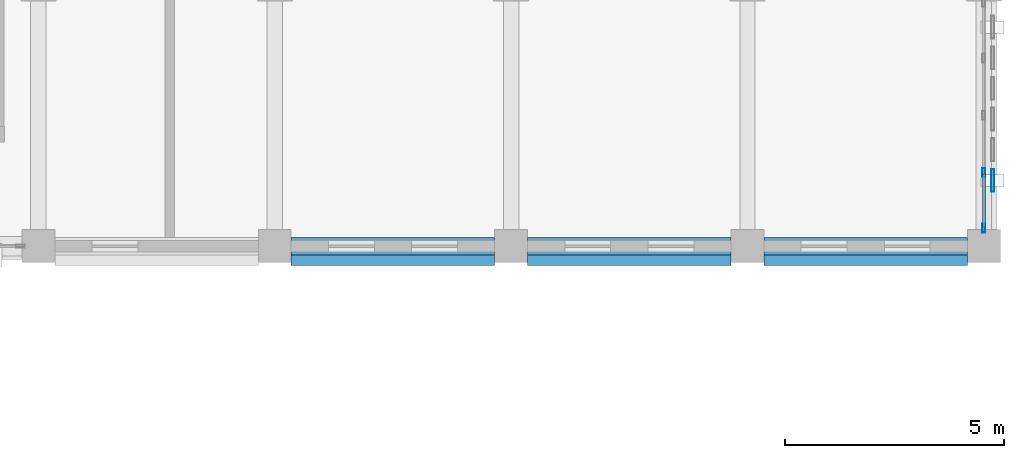
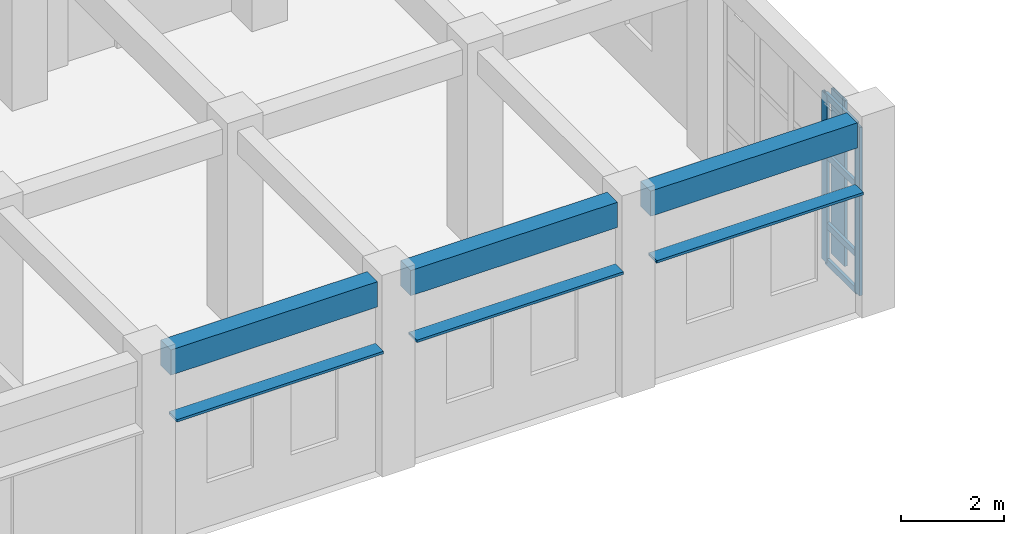
# One storey, part 47 of 76: 10 members, 3 beams, 1 element without a shape of its own.
"""IFC4 building model written with IfcOpenShell, lengths in metres."""

from ifc_helpers import new_model, si_unit, direction, frame, origin, origin_2d, place, context, subcontext, project, spatial, rectangle, hollow_rectangle, extrude, material, layer, layer_set, material_profile, profile_set, type_object, element, aggregate, save


model = new_model("IFC4")

# Units and contexts
model_context = context("Model", 3, precision=1e-05, world=origin(), true_north=direction((0.0, 1.0)))
body_context = subcontext(model_context, "Body", "Model", "MODEL_VIEW")
ifc_project = project(units=[si_unit("LENGTHUNIT", "METRE"), si_unit("AREAUNIT", "SQUARE_METRE"), si_unit("VOLUMEUNIT", "CUBIC_METRE"), si_unit("PLANEANGLEUNIT", "RADIAN"), si_unit("MASSUNIT", "GRAM", prefix="KILO")], contexts=[model_context])

# Site, building, storey
site_placement = place(None, origin())
site = spatial("IfcSite", under=ifc_project, at=site_placement, CompositionType="ELEMENT")
building_placement = place(site_placement, origin())
building = spatial("IfcBuilding", under=site, at=building_placement, Name="Krzemoval Escarpment Law Courts", CompositionType="ELEMENT")
storey_placement = place(building_placement, frame((0.0, 0.0, 20.39990234375)))
storey = spatial("IfcBuildingStorey", under=building, at=storey_placement, Name="L04", CompositionType="ELEMENT", Elevation=20.39990234375)

# Beams
ifc_material_1 = material(Name="Concrete C40/50", Category="concrete")
ifc_material_profile_1 = material_profile(ifc_material_1, rectangle(XDim=0.39990234375, YDim=0.60009765625, at=origin_2d()), Name="RCB 400x600")
ifc_profile_set_1 = profile_set([ifc_material_profile_1], Name="Concrete C40/50")
beam_type = type_object("IfcBeamType", Name="BM-RC-400x600", PredefinedType="BEAM", material=ifc_profile_set_1)
for number, where, z_axis, x_axis, name in (
    (1, (156.97509765625, 93.60009765625, 4.25), (1.0, 0.0, 0.0), (0.0, 1.0, 0.0), "Beam FG-L04-2457"),
    (2, (162.375, 93.60009765625, 4.25), (1.0, 0.0, 0.0), (0.0, 1.0, 0.0), "Beam FG-L04-2458"),
):
    element("IfcBeam", number, at=place(storey_placement, frame(where, z_axis=z_axis, x_axis=x_axis)), inside=storey, type_object=beam_type, Name=name, PredefinedType="BEAM", context=body_context, shape_type="SweptSolid", body=[
        extrude(rectangle(XDim=0.39990234375, YDim=0.60009765625, at=origin_2d()), origin(), (0.0, 0.0, 1.0), 4.64990234375),
    ])
beam_placement = place(storey_placement, frame((167.77490234375, 93.60009765625, 4.25), z_axis=(1.0, 0.0, 0.0), x_axis=(0.0, 1.0, 0.0)))
element("IfcBeam", 3, at=beam_placement, inside=storey, type_object=beam_type, Name="Beam FG-L04-2459", PredefinedType="BEAM", context=body_context, shape_type="SweptSolid", body=[
    extrude(rectangle(XDim=0.39990234375, YDim=0.60009765625, at=origin_2d()), origin(), (0.0, 0.0, 1.0), 4.650146484375),
])

# Curtain wall, members
ifc_material_2 = material(Name="Aluminium 6063-T6", Category="aluminium")
ifc_layer = layer(ifc_material_2, 0.219970703125)
ifc_layer_set = layer_set([ifc_layer], Name="Aluminium 6063-T6")
curtain_wall_type = type_object("IfcCurtainWallType", Name="CW-CHMB-4200", PredefinedType="USERDEFINED", material=ifc_layer_set)
curtain_wall_placement = place(storey_placement, origin())
curtain_wall = element("IfcCurtainWall", 4, at=curtain_wall_placement, inside=storey, type_object=curtain_wall_type, Name="Unitised Curtain Wall FCW-L04-131", ObjectType="UNITISED_CURTAIN_WALL", PredefinedType="USERDEFINED")
ifc_material_3 = material(Name="Aluminium 6063-T6", Category="aluminium")
ifc_material_profile_2 = material_profile(ifc_material_3, hollow_rectangle(XDim=0.06494140625, YDim=0.199951171875, WallThickness=0.00439453125, at=origin_2d()), Name="ALU M65x200")
ifc_profile_set_2 = profile_set([ifc_material_profile_2], Name="Aluminium 6063-T6")
member_type_1 = type_object("IfcMemberType", Name="CWM-65x200", PredefinedType="MULLION", material=ifc_profile_set_2)
member_1_placement = place(storey_placement, frame((172.800048828125, 95.28125, 0.0), z_axis=(0.0, 0.0, 1.0), x_axis=(1.0, 0.0, 0.0)))
member_1 = element("IfcMember", 5, at=member_1_placement, type_object=member_type_1, Name="FCW-L04-131 mullion 4", PredefinedType="MULLION", context=body_context, shape_type="SweptSolid", body=[
    extrude(hollow_rectangle(XDim=0.06494140625, YDim=0.199951171875, WallThickness=0.00439453125, at=origin_2d()), origin(), (0.0, 0.0, 1.0), 4.0),
])
member_2_placement = place(storey_placement, frame((172.800048828125, 94.007568359375, 0.0), z_axis=(0.0, 0.0, 1.0), x_axis=(1.0, 0.0, 0.0)))
member_2 = element("IfcMember", 6, at=member_2_placement, type_object=member_type_1, Name="FCW-L04-131 mullion 5", PredefinedType="MULLION", context=body_context, shape_type="SweptSolid", body=[
    extrude(hollow_rectangle(XDim=0.06494140625, YDim=0.199951171875, WallThickness=0.00439453125, at=origin_2d()), origin(), (0.0, 0.0, 1.0), 4.0),
])
ifc_material_4 = material(Name="Aluminium 6063-T6", Category="aluminium")
ifc_material_profile_3 = material_profile(ifc_material_4, hollow_rectangle(XDim=0.06494140625, YDim=0.14990234375, WallThickness=0.00439453125, at=origin_2d()), Name="ALU T65x150")
ifc_profile_set_3 = profile_set([ifc_material_profile_3], Name="Aluminium 6063-T6")
member_type_2 = type_object("IfcMemberType", Name="CWT-65x150", PredefinedType="USERDEFINED", material=ifc_profile_set_3)
member_3_placement = place(storey_placement, frame((172.800048828125, 95.248779296875, 0.03271484375), z_axis=(0.0, -1.0, 0.0), x_axis=(1.0, 0.0, 0.0)))
member_3 = element("IfcMember", 7, at=member_3_placement, type_object=member_type_2, Name="FCW-L04-131 transom 4.1", ObjectType="TRANSOM", PredefinedType="USERDEFINED", context=body_context, shape_type="SweptSolid", body=[
    extrude(hollow_rectangle(XDim=0.06494140625, YDim=0.14990234375, WallThickness=0.00439453125, at=origin_2d()), origin(), (0.0, 0.0, 1.0), 1.208740234375),
])
member_4_placement = place(storey_placement, frame((172.800048828125, 95.248779296875, 0.900146484375), z_axis=(0.0, -1.0, 0.0), x_axis=(1.0, 0.0, 0.0)))
member_4 = element("IfcMember", 8, at=member_4_placement, type_object=member_type_2, Name="FCW-L04-131 transom 4.2", ObjectType="TRANSOM", PredefinedType="USERDEFINED", context=body_context, shape_type="SweptSolid", body=[
    extrude(hollow_rectangle(XDim=0.06494140625, YDim=0.14990234375, WallThickness=0.00439453125, at=origin_2d()), origin(), (0.0, 0.0, 1.0), 1.208740234375),
])
member_5_placement = place(storey_placement, frame((172.800048828125, 95.248779296875, 2.550048828125), z_axis=(0.0, -1.0, 0.0), x_axis=(1.0, 0.0, 0.0)))
member_5 = element("IfcMember", 9, at=member_5_placement, type_object=member_type_2, Name="FCW-L04-131 transom 4.3", ObjectType="TRANSOM", PredefinedType="USERDEFINED", context=body_context, shape_type="SweptSolid", body=[
    extrude(hollow_rectangle(XDim=0.06494140625, YDim=0.14990234375, WallThickness=0.00439453125, at=origin_2d()), origin(), (0.0, 0.0, 1.0), 1.208740234375),
])
member_6_placement = place(storey_placement, frame((172.800048828125, 95.248779296875, 3.967529296875), z_axis=(0.0, -1.0, 0.0), x_axis=(1.0, 0.0, 0.0)))
member_6 = element("IfcMember", 10, at=member_6_placement, type_object=member_type_2, Name="FCW-L04-131 transom 4.4", ObjectType="TRANSOM", PredefinedType="USERDEFINED", context=body_context, shape_type="SweptSolid", body=[
    extrude(hollow_rectangle(XDim=0.06494140625, YDim=0.14990234375, WallThickness=0.00439453125, at=origin_2d()), origin(), (0.0, 0.0, 1.0), 1.208740234375),
])
aggregate(curtain_wall, [member_1, member_2, member_3, member_4, member_5, member_6])

# Members
ifc_material_5 = material(Name="Anodised Aluminium Alloy 6063-T6", Category="aluminium")
ifc_material_profile_4 = material_profile(ifc_material_5, hollow_rectangle(XDim=0.06005859375, YDim=0.320068359375, WallThickness=0.00390625, at=origin_2d()), Name="ALU LVR 60x320")
ifc_profile_set_4 = profile_set([ifc_material_profile_4], Name="Anodised Aluminium Alloy 6063-T6")
member_type_3 = type_object("IfcMemberType", Name="LVR-ALU-320", PredefinedType="USERDEFINED", material=ifc_profile_set_4)
member_7_placement = place(storey_placement, frame((172.425048828125, 93.320068359375, 3.010009765625), z_axis=(-1.0, 0.0, 0.0), x_axis=(0.0, 0.0, 1.0)))
element("IfcMember", 11, at=member_7_placement, inside=storey, type_object=member_type_3, Name="Window Sunshade Louvre FLV-L04-0877", ObjectType="SUNSHADE_LOUVRE", PredefinedType="USERDEFINED", context=body_context, shape_type="SweptSolid", body=[
    extrude(hollow_rectangle(XDim=0.06005859375, YDim=0.320068359375, WallThickness=0.00390625, at=origin_2d()), origin(), (0.0, 0.0, 1.0), 4.650146484375),
])
for number, where, z_axis, x_axis, name in (
    (12, (167.02490234375, 93.320068359375, 3.010009765625), (-1.0, 0.0, 0.0), (0.0, 0.0, 1.0), "Window Sunshade Louvre FLV-L04-0878"),
    (13, (161.625, 93.320068359375, 3.010009765625), (-1.0, 0.0, 0.0), (0.0, 0.0, 1.0), "Window Sunshade Louvre FLV-L04-0879"),
):
    element("IfcMember", number, at=place(storey_placement, frame(where, z_axis=z_axis, x_axis=x_axis)), inside=storey, type_object=member_type_3, Name=name, ObjectType="SUNSHADE_LOUVRE", PredefinedType="USERDEFINED", context=body_context, shape_type="SweptSolid", body=[
        extrude(hollow_rectangle(XDim=0.06005859375, YDim=0.320068359375, WallThickness=0.00390625, at=origin_2d()), origin(), (0.0, 0.0, 1.0), 4.64990234375),
    ])
ifc_material_6 = material(Name="Anodised Aluminium Alloy 6063-T6", Category="aluminium")
ifc_material_profile_5 = material_profile(ifc_material_6, hollow_rectangle(XDim=0.06494140625, YDim=0.52001953125, WallThickness=0.00439453125, at=origin_2d()), Name="ALU LVR 65x520")
ifc_profile_set_5 = profile_set([ifc_material_profile_5], Name="Anodised Aluminium Alloy 6063-T6")
member_type_4 = type_object("IfcMemberType", Name="LVR-ALU-520", PredefinedType="USERDEFINED", material=ifc_profile_set_5)
member_8_placement = place(storey_placement, frame((173.0, 95.10009765625, 0.06005859375), z_axis=(0.0, 0.0, 1.0), x_axis=(1.0, 0.0, 0.0)))
element("IfcMember", 14, at=member_8_placement, inside=storey, type_object=member_type_4, Name="Sunshade Louvre Fin FLV-L04-0876", ObjectType="SUNSHADE_LOUVRE", PredefinedType="USERDEFINED", context=body_context, shape_type="SweptSolid", body=[
    extrude(hollow_rectangle(XDim=0.06494140625, YDim=0.52001953125, WallThickness=0.00439453125, at=origin_2d()), origin(), (0.0, 0.0, 1.0), 3.93994140625),
])

save(model, "model.ifc")
